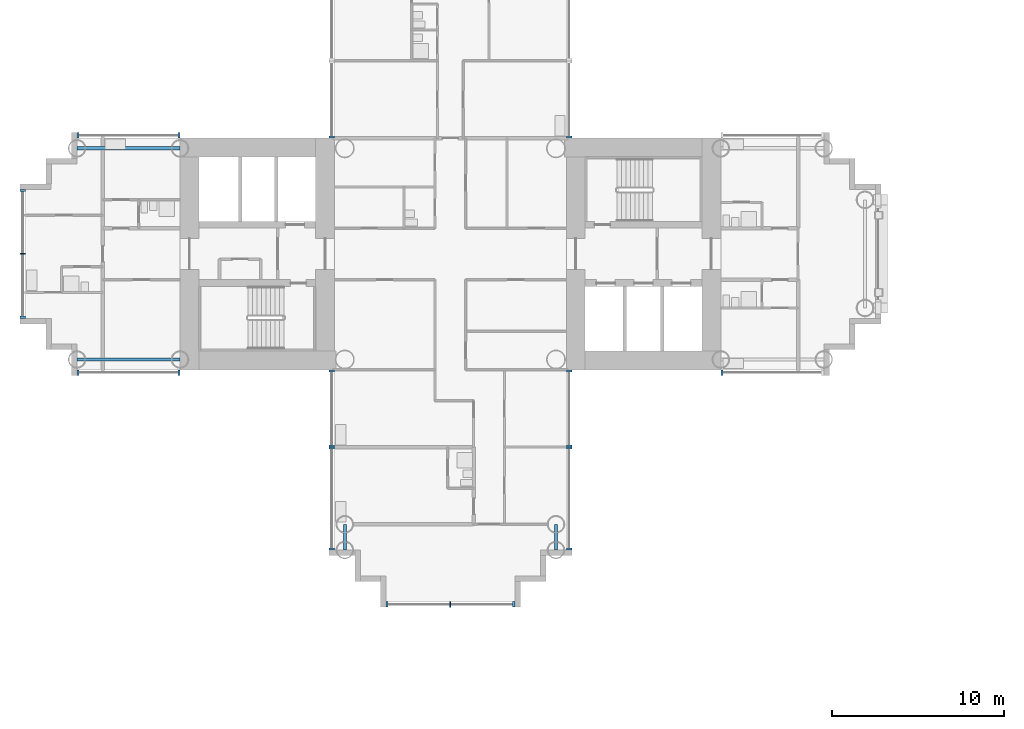
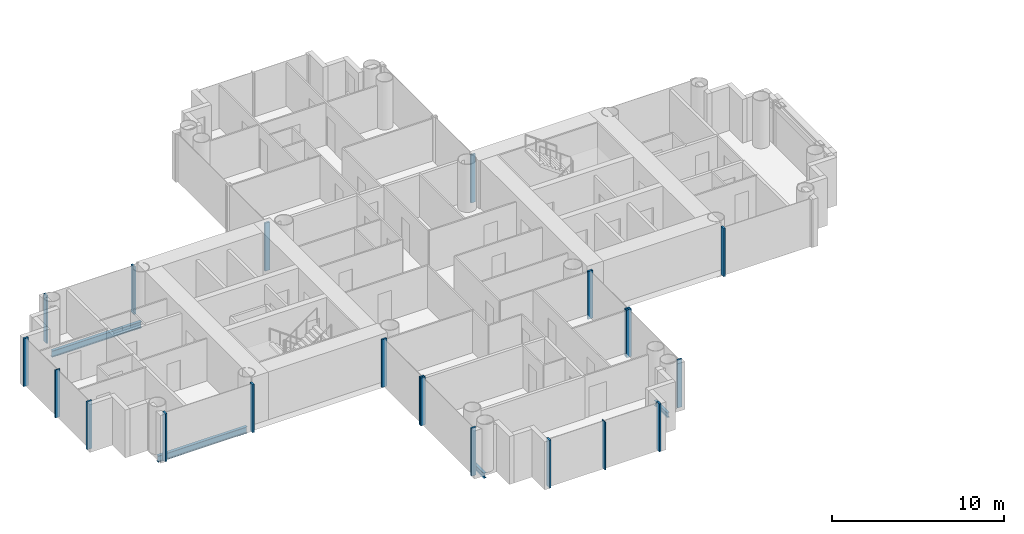
# One storey, part 3 of 22: 21 members, 4 beams, 11 elements without a shape of their own.
"""IFC4 building model written with IfcOpenShell, lengths in metres."""

import ifcopenshell
import ifcopenshell.guid

model = None  # the IFC model being written
_history = None  # IfcOwnerHistory: only IFC2X3 demands one
_inside = {}  # id of a spatial element -> (the spatial element, [elements in it])
_under = {}  # id of a project, library or spatial element -> (it, [spatial elements below it])
_declared = {}  # id of a project -> (the project, [libraries it declares])
_typed = {}  # id of a type object -> (the type object, [elements of that type])
_made_of = {}  # id of a material, layer set ... -> (it, [elements and type objects made of it])


def new_model(schema):
    """Start an empty IFC model of exactly this schema.

    Asked for "IFC4X3", IfcOpenShell would pick the latest addendum, in which some entities
    have other attributes; the version numbers below select the first issue.
    IFC2X3 requires an IfcOwnerHistory on every rooted entity: one is made here for all.
    """
    global model, _history
    if schema == "IFC4X3":
        model = ifcopenshell.file(schema_version=(4, 3, 0, 0))
    else:
        model = ifcopenshell.file(schema=schema)
    _inside.clear()
    _under.clear()
    _declared.clear()
    _typed.clear()
    _made_of.clear()
    _history = None
    if model.schema == "IFC2X3":
        org = make("IfcOrganization", Name="unknown")
        user = make(
            "IfcPersonAndOrganization",
            ThePerson=make("IfcPerson", FamilyName="unknown"),
            TheOrganization=org,
        )
        app = make(
            "IfcApplication",
            ApplicationDeveloper=org,
            Version="unknown",
            ApplicationFullName="unknown",
            ApplicationIdentifier="unknown",
        )
        _history = make(
            "IfcOwnerHistory",
            OwningUser=user,
            OwningApplication=app,
            ChangeAction="ADDED",
            CreationDate=0,
        )
    return model


def make(cls, **values):
    """One entity of the class cls with the attributes given. An attribute that is None is left unset."""
    return model.create_entity(
        cls, **{name: value for name, value in values.items() if value is not None}
    )


def rooted(cls, **values):
    """An entity with a GlobalId (a new one), such as an element, a storey or a relation."""
    return make(cls, GlobalId=ifcopenshell.guid.new(), OwnerHistory=_history, **values)


def si_unit(unit_type, name, prefix=None):
    """IfcSIUnit, for example si_unit("LENGTHUNIT", "METRE", prefix="MILLI")."""
    return make("IfcSIUnit", UnitType=unit_type, Prefix=prefix, Name=name)


def assignment(units):
    """IfcUnitAssignment: the units of a project."""
    return None if units is None else make("IfcUnitAssignment", Units=units)


def point(xyz):
    """IfcCartesianPoint."""
    return None if xyz is None else make("IfcCartesianPoint", Coordinates=xyz)


def direction(xyz):
    """IfcDirection."""
    return None if xyz is None else make("IfcDirection", DirectionRatios=xyz)


def frame(location, z_axis=None, x_axis=None):
    """IfcAxis2Placement3D, a coordinate frame: its origin and axes. An axis left out is left unset."""
    return make(
        "IfcAxis2Placement3D",
        Location=point(location),
        Axis=direction(z_axis),
        RefDirection=direction(x_axis),
    )


def frame_2d(location, x_axis=None):
    """IfcAxis2Placement2D, a coordinate frame in the plane: its origin and x axis."""
    return make(
        "IfcAxis2Placement2D", Location=point(location), RefDirection=direction(x_axis)
    )


def origin():
    """The frame at (0, 0, 0) with its axes left unset."""
    return frame((0.0, 0.0, 0.0))


def origin_2d():
    """The frame at (0, 0) in the plane with its x axis left unset."""
    return frame_2d((0.0, 0.0))


def place(relative_to, where):
    """IfcLocalPlacement: puts the frame where relative to a parent placement (None: the world)."""
    return make(
        "IfcLocalPlacement", PlacementRelTo=relative_to, RelativePlacement=where
    )


def context(
    kind, dimensions, precision=None, world=None, true_north=None, identifier=None
):
    """IfcGeometricRepresentationContext, for example the 3D "Model" context."""
    return make(
        "IfcGeometricRepresentationContext",
        ContextIdentifier=identifier,
        ContextType=kind,
        CoordinateSpaceDimension=dimensions,
        Precision=precision,
        WorldCoordinateSystem=world,
        TrueNorth=true_north,
    )


def subcontext(parent, identifier, kind, view, scale=None):
    """IfcGeometricRepresentationSubContext, for example "Body" below "Model"."""
    return make(
        "IfcGeometricRepresentationSubContext",
        ContextIdentifier=identifier,
        ContextType=kind,
        ParentContext=parent,
        TargetScale=scale,
        TargetView=view,
    )


def project(units=None, contexts=None):
    """IfcProject with its units and contexts."""
    return rooted(
        "IfcProject",
        Name="project",
        RepresentationContexts=contexts,
        UnitsInContext=assignment(units),
    )


def spatial(cls, under=None, at=None, **own):
    """A site, building, storey or space (cls), placed at a placement, below another one or the project."""
    s = rooted(cls, ObjectPlacement=at, **own)
    if under is not None:
        _under.setdefault(under.id(), (under, []))[1].append(s)
    return s


def profile(cls, at=None, kind="AREA", **sizes):
    """A parametric profile (cls). Its sizes go by their IFC names, for example OverallWidth=200.0."""
    return make(cls, ProfileType=kind, Position=at, **sizes)


def rectangle(**sizes):
    """IfcRectangleProfileDef."""
    return profile("IfcRectangleProfileDef", **sizes)


def i_section(**sizes):
    """IfcIShapeProfileDef."""
    return profile("IfcIShapeProfileDef", **sizes)


def extrude(swept, where, along, depth):
    """IfcExtrudedAreaSolid: the profile swept, set in the frame where, extruded along a direction by depth."""
    return make(
        "IfcExtrudedAreaSolid",
        SweptArea=swept,
        Position=where,
        ExtrudedDirection=direction(along),
        Depth=depth,
    )


def shape(context_of_items, identifier, shape_type, items):
    """IfcShapeRepresentation: the items that make up one representation, for example the "Body"."""
    return make(
        "IfcShapeRepresentation",
        ContextOfItems=context_of_items,
        RepresentationIdentifier=identifier,
        RepresentationType=shape_type,
        Items=items,
    )


def material(Name=None, Category=None):
    """IfcMaterial."""
    return make("IfcMaterial", Name=Name, Category=Category)


def layer(
    of_material, thickness, ventilated=None, Name=None, Category=None, Priority=None
):
    """IfcMaterialLayer: one layer of a wall or slab, of a material (None: an air gap)."""
    return make(
        "IfcMaterialLayer",
        Material=of_material,
        LayerThickness=thickness,
        IsVentilated=ventilated,
        Name=Name,
        Category=Category,
        Priority=Priority,
    )


def layer_set(layers, Name=None):
    """IfcMaterialLayerSet."""
    return make("IfcMaterialLayerSet", MaterialLayers=layers, LayerSetName=Name)


def material_profile(
    of_material, cross_section, Name=None, Category=None, Priority=None
):
    """IfcMaterialProfile: a cross section and its material."""
    return make(
        "IfcMaterialProfile",
        Name=Name,
        Material=of_material,
        Profile=cross_section,
        Priority=Priority,
        Category=Category,
    )


def profile_set(profiles, Name=None, composite=None):
    """IfcMaterialProfileSet."""
    return make(
        "IfcMaterialProfileSet",
        Name=Name,
        MaterialProfiles=profiles,
        CompositeProfile=composite,
    )


def made_of(thing, what):
    """Note that an element or type object is made of a material, layer set ...; save() writes the relation."""
    if what is not None:
        _made_of.setdefault(what.id(), (what, []))[1].append(thing)
    return thing


def type_object(cls, material=None, **own):
    """A type object (cls), such as IfcWallType, which elements share."""
    return made_of(rooted(cls, **own), material)


def element(
    cls,
    number,
    at=None,
    inside=None,
    cuts=None,
    type_object=None,
    material=None,
    context=None,
    identifier="Body",
    shape_type=None,
    held_by="IfcProductDefinitionShape",
    body=None,
    shapes=None,
    **own,
):
    """One element of the class cls, such as IfcWall. Its Tag is "e" and its number.

    at: its placement. inside: the storey or other place that contains it. cuts: it is an
    opening in that element (IfcRelVoidsElement). A single representation is given by context,
    identifier, shape_type and body (its items); several are given by shapes. held_by: the class
    of the entity that holds the representations. save() writes the other relations.
    """
    e = rooted(cls, Tag="e%d" % number, ObjectPlacement=at, **own)
    if body is not None:
        shapes = [shape(context, identifier, shape_type, body)]
    if shapes is not None:
        e.Representation = make(held_by, Representations=shapes)
    if inside is not None:
        _inside.setdefault(inside.id(), (inside, []))[1].append(e)
    if cuts is not None:
        rooted(
            "IfcRelVoidsElement", RelatingBuildingElement=cuts, RelatedOpeningElement=e
        )
    if type_object is not None:
        _typed.setdefault(type_object.id(), (type_object, []))[1].append(e)
    return made_of(e, material)


def aggregate(whole, parts):
    """IfcRelAggregates: a whole, such as a stair, and the parts it consists of."""
    return rooted("IfcRelAggregates", RelatingObject=whole, RelatedObjects=parts)


def save(model, path):
    """Write the relations noted so far, then the file.

    IfcRelAggregates (storeys below a building ...), IfcRelContainedInSpatialStructure (elements
    in a storey), IfcRelDefinesByType, IfcRelAssociatesMaterial and IfcRelDeclares: one each for
    every whole, place, type object, material and project.
    """
    for whole, parts in _under.values():
        aggregate(whole, parts)
    for where, things in _inside.values():
        rooted(
            "IfcRelContainedInSpatialStructure",
            RelatedElements=things,
            RelatingStructure=where,
        )
    for kind, things in _typed.values():
        rooted("IfcRelDefinesByType", RelatedObjects=things, RelatingType=kind)
    for what, things in _made_of.values():
        rooted("IfcRelAssociatesMaterial", RelatedObjects=things, RelatingMaterial=what)
    for by, libraries in _declared.values():
        rooted("IfcRelDeclares", RelatingContext=by, RelatedDefinitions=libraries)
    model.write(path)


model = new_model("IFC4")

# Units and contexts
model_context = context("Model", 3, precision=1e-05, world=origin(), true_north=direction((0.0, 1.0)))
body_context = subcontext(model_context, "Body", "Model", "MODEL_VIEW")
ifc_project = project(units=[si_unit("LENGTHUNIT", "METRE"), si_unit("AREAUNIT", "SQUARE_METRE"), si_unit("VOLUMEUNIT", "CUBIC_METRE"), si_unit("PLANEANGLEUNIT", "RADIAN"), si_unit("MASSUNIT", "GRAM", prefix="KILO")], contexts=[model_context])

# Site, building, storey
site_placement = place(None, origin())
site = spatial("IfcSite", under=ifc_project, at=site_placement, CompositionType="ELEMENT")
building_placement = place(site_placement, origin())
building = spatial("IfcBuilding", under=site, at=building_placement, Name="Ipe Terrace Towers", CompositionType="ELEMENT")
storey_placement = place(building_placement, frame((0.0, 0.0, 68.699951171875)))
storey = spatial("IfcBuildingStorey", under=building, at=storey_placement, Name="L18", CompositionType="ELEMENT", Elevation=68.699951171875)

# Beams
ifc_material_1 = material(Name="Steel S355", Category="steel")
ifc_material_profile_1 = material_profile(ifc_material_1, i_section(OverallWidth=0.175048828125, OverallDepth=0.35009765625, WebThickness=0.007080078125, FlangeThickness=0.010986328125, at=origin_2d()), Name="H-350x175x7x11")
ifc_profile_set_1 = profile_set([ifc_material_profile_1], Name="Steel S355")
beam_type_1 = type_object("IfcBeamType", Name="H04 EDGE BEAM H-350x175x7x11", PredefinedType="BEAM", material=ifc_profile_set_1)
for number, where, z_axis, x_axis, name in (
    (1, (-42.14990234375, -15.75, -0.574951171875), (0.0, -1.0, 0.0), (1.0, 0.0, 0.0), "Edge beam T1-EB-D03-D05"),
    (2, (-29.85009765625, -15.75, -0.574951171875), (0.0, -1.0, 0.0), (1.0, 0.0, 0.0), "Edge beam T1-EB-D04-D06"),
):
    element("IfcBeam", number, at=place(storey_placement, frame(where, z_axis=z_axis, x_axis=x_axis)), inside=storey, type_object=beam_type_1, Name=name, PredefinedType="BEAM", context=body_context, shape_type="SweptSolid", body=[
        extrude(i_section(OverallWidth=0.175048828125, OverallDepth=0.35009765625, WebThickness=0.007080078125, FlangeThickness=0.010986328125, at=origin_2d()), origin(), (0.0, 0.0, 1.0), 1.5),
    ])
ifc_material_2 = material(Name="Steel S355", Category="steel")
ifc_material_profile_2 = material_profile(ifc_material_2, i_section(OverallWidth=0.199951171875, OverallDepth=0.449951171875, WebThickness=0.009033203125, FlangeThickness=0.013916015625, at=origin_2d()), Name="H-450x200x9x14")
ifc_profile_set_2 = profile_set([ifc_material_profile_2], Name="Steel S355")
beam_type_2 = type_object("IfcBeamType", Name="H08 EDGE BEAM H-450x200x9x14", PredefinedType="BEAM", material=ifc_profile_set_2)
for number, where, z_axis, x_axis, name in (
    (3, (-51.75, -6.14990234375, -0.625), (-1.0, 0.0, 0.0), (0.0, -1.0, 0.0), "Edge beam T1-EB-C01-C03"),
    (4, (-51.75, 6.14990234375, -0.625), (-1.0, 0.0, 0.0), (0.0, -1.0, 0.0), "Edge beam T1-EB-C02-C04"),
):
    element("IfcBeam", number, at=place(storey_placement, frame(where, z_axis=z_axis, x_axis=x_axis)), inside=storey, type_object=beam_type_2, Name=name, PredefinedType="BEAM", context=body_context, shape_type="SweptSolid", body=[
        extrude(i_section(OverallWidth=0.199951171875, OverallDepth=0.449951171875, WebThickness=0.009033203125, FlangeThickness=0.013916015625, at=origin_2d()), origin(), (0.0, 0.0, 1.0), 6.0),
    ])

# Curtain wall, members
ifc_material_3 = material(Name="Aluminium alloy 6063-T6", Category="aluminium")
ifc_layer = layer(ifc_material_3, 0.320068359375)
ifc_layer_set = layer_set([ifc_layer], Name="TOWER UNITISED CURTAIN WALL")
curtain_wall_type = type_object("IfcCurtainWallType", Name="TOWER UNITISED CURTAIN WALL", PredefinedType="NOTDEFINED", material=ifc_layer_set)
curtain_wall_1_placement = place(storey_placement, origin())
curtain_wall_1 = element("IfcCurtainWall", 5, at=curtain_wall_1_placement, inside=storey, type_object=curtain_wall_type, Name="T1-CW-L18-04a curtain wall", PredefinedType="NOTDEFINED")
ifc_material_4 = material(Name="Aluminium alloy 6063-T6", Category="aluminium")
ifc_material_profile_3 = material_profile(ifc_material_4, rectangle(XDim=0.320068359375, YDim=0.1201171875, at=origin_2d()), Name="TOWER UNITISED CORNER MULLION 320 x 120")
ifc_profile_set_3 = profile_set([ifc_material_profile_3], Name="Aluminium alloy 6063-T6")
member_type_1 = type_object("IfcMemberType", Name="TOWER UNITISED CORNER MULLION 320 x 120", PredefinedType="MULLION", material=ifc_profile_set_3)
member_1_placement = place(storey_placement, frame((-57.68994140625, -6.909912109375, -0.300048828125), z_axis=(0.0, 0.0, 1.0), x_axis=(0.0, -1.0, 0.0)))
member_1 = element("IfcMember", 6, at=member_1_placement, type_object=member_type_1, Name="T1-CW-L18-04a mullion 1", PredefinedType="MULLION", context=body_context, shape_type="SweptSolid", body=[
    extrude(rectangle(XDim=0.320068359375, YDim=0.1201171875, at=origin_2d()), origin(), (0.0, 0.0, 1.0), 3.400146484375),
])
member_2_placement = place(storey_placement, frame((-51.81103515625, -6.909912109375, -0.300048828125), z_axis=(0.0, 0.0, 1.0), x_axis=(0.0, -1.0, 0.0)))
member_2 = element("IfcMember", 7, at=member_2_placement, type_object=member_type_1, Name="T1-CW-L18-04a mullion 2", PredefinedType="MULLION", context=body_context, shape_type="SweptSolid", body=[
    extrude(rectangle(XDim=0.320068359375, YDim=0.1201171875, at=origin_2d()), origin(), (0.0, 0.0, 1.0), 3.400146484375),
])
aggregate(curtain_wall_1, [member_1, member_2])

curtain_wall_2_placement = place(storey_placement, origin())
curtain_wall_2 = element("IfcCurtainWall", 8, at=curtain_wall_2_placement, inside=storey, type_object=curtain_wall_type, Name="T1-CW-L18-06a curtain wall", PredefinedType="NOTDEFINED")
member_3_placement = place(storey_placement, frame((-42.909912109375, -6.81005859375, -0.300048828125), z_axis=(0.0, 0.0, 1.0), x_axis=(-1.0, 0.0, 0.0)))
member_3 = element("IfcMember", 9, at=member_3_placement, type_object=member_type_1, Name="T1-CW-L18-06a mullion 1", PredefinedType="MULLION", context=body_context, shape_type="SweptSolid", body=[
    extrude(rectangle(XDim=0.320068359375, YDim=0.1201171875, at=origin_2d()), origin(), (0.0, 0.0, 1.0), 3.400146484375),
])
member_4_placement = place(storey_placement, frame((-42.909912109375, -11.18994140625, -0.300048828125), z_axis=(0.0, 0.0, 1.0), x_axis=(-1.0, 0.0, 0.0)))
member_4 = element("IfcMember", 10, at=member_4_placement, type_object=member_type_1, Name="T1-CW-L18-06a mullion 2", PredefinedType="MULLION", context=body_context, shape_type="SweptSolid", body=[
    extrude(rectangle(XDim=0.320068359375, YDim=0.1201171875, at=origin_2d()), origin(), (0.0, 0.0, 1.0), 3.400146484375),
])
aggregate(curtain_wall_2, [member_3, member_4])

curtain_wall_3_placement = place(storey_placement, origin())
curtain_wall_3 = element("IfcCurtainWall", 11, at=curtain_wall_3_placement, inside=storey, type_object=curtain_wall_type, Name="T1-CW-L18-07a curtain wall", PredefinedType="NOTDEFINED")
member_5_placement = place(storey_placement, frame((-42.909912109375, -11.31005859375, -0.300048828125), z_axis=(0.0, 0.0, 1.0), x_axis=(-1.0, 0.0, 0.0)))
member_5 = element("IfcMember", 12, at=member_5_placement, type_object=member_type_1, Name="T1-CW-L18-07a mullion 1", PredefinedType="MULLION", context=body_context, shape_type="SweptSolid", body=[
    extrude(rectangle(XDim=0.320068359375, YDim=0.1201171875, at=origin_2d()), origin(), (0.0, 0.0, 1.0), 3.400146484375),
])
member_6_placement = place(storey_placement, frame((-42.909912109375, -17.18994140625, -0.300048828125), z_axis=(0.0, 0.0, 1.0), x_axis=(-1.0, 0.0, 0.0)))
member_6 = element("IfcMember", 13, at=member_6_placement, type_object=member_type_1, Name="T1-CW-L18-07a mullion 2", PredefinedType="MULLION", context=body_context, shape_type="SweptSolid", body=[
    extrude(rectangle(XDim=0.320068359375, YDim=0.1201171875, at=origin_2d()), origin(), (0.0, 0.0, 1.0), 3.400146484375),
])
aggregate(curtain_wall_3, [member_5, member_6])

curtain_wall_4_placement = place(storey_placement, origin())
curtain_wall_4 = element("IfcCurtainWall", 14, at=curtain_wall_4_placement, inside=storey, type_object=curtain_wall_type, Name="T1-CW-L18-12a curtain wall", PredefinedType="NOTDEFINED")
member_7_placement = place(storey_placement, frame((-39.68994140625, -20.409912109375, -0.300048828125), z_axis=(0.0, 0.0, 1.0), x_axis=(0.0, -1.0, 0.0)))
member_7 = element("IfcMember", 15, at=member_7_placement, type_object=member_type_1, Name="T1-CW-L18-12a mullion 1", PredefinedType="MULLION", context=body_context, shape_type="SweptSolid", body=[
    extrude(rectangle(XDim=0.320068359375, YDim=0.1201171875, at=origin_2d()), origin(), (0.0, 0.0, 1.0), 3.400146484375),
])
member_8_placement = place(storey_placement, frame((-32.31005859375, -20.409912109375, -0.300048828125), z_axis=(0.0, 0.0, 1.0), x_axis=(0.0, -1.0, 0.0)))
member_8 = element("IfcMember", 16, at=member_8_placement, type_object=member_type_1, Name="T1-CW-L18-12a mullion 3", PredefinedType="MULLION", context=body_context, shape_type="SweptSolid", body=[
    extrude(rectangle(XDim=0.320068359375, YDim=0.1201171875, at=origin_2d()), origin(), (0.0, 0.0, 1.0), 3.400146484375),
])

curtain_wall_5_placement = place(storey_placement, origin())
curtain_wall_5 = element("IfcCurtainWall", 17, at=curtain_wall_5_placement, inside=storey, type_object=curtain_wall_type, Name="T1-CW-L18-17a curtain wall", PredefinedType="NOTDEFINED")
member_9_placement = place(storey_placement, frame((-29.090087890625, -17.18994140625, -0.300048828125), z_axis=(0.0, 0.0, 1.0), x_axis=(1.0, 0.0, 0.0)))
member_9 = element("IfcMember", 18, at=member_9_placement, type_object=member_type_1, Name="T1-CW-L18-17a mullion 1", PredefinedType="MULLION", context=body_context, shape_type="SweptSolid", body=[
    extrude(rectangle(XDim=0.320068359375, YDim=0.1201171875, at=origin_2d()), origin(), (0.0, 0.0, 1.0), 3.400146484375),
])
member_10_placement = place(storey_placement, frame((-29.090087890625, -11.31005859375, -0.300048828125), z_axis=(0.0, 0.0, 1.0), x_axis=(1.0, 0.0, 0.0)))
member_10 = element("IfcMember", 19, at=member_10_placement, type_object=member_type_1, Name="T1-CW-L18-17a mullion 2", PredefinedType="MULLION", context=body_context, shape_type="SweptSolid", body=[
    extrude(rectangle(XDim=0.320068359375, YDim=0.1201171875, at=origin_2d()), origin(), (0.0, 0.0, 1.0), 3.400146484375),
])
aggregate(curtain_wall_5, [member_9, member_10])

curtain_wall_6_placement = place(storey_placement, origin())
curtain_wall_6 = element("IfcCurtainWall", 20, at=curtain_wall_6_placement, inside=storey, type_object=curtain_wall_type, Name="T1-CW-L18-18a curtain wall", PredefinedType="NOTDEFINED")
member_11_placement = place(storey_placement, frame((-29.090087890625, -11.18994140625, -0.300048828125), z_axis=(0.0, 0.0, 1.0), x_axis=(1.0, 0.0, 0.0)))
member_11 = element("IfcMember", 21, at=member_11_placement, type_object=member_type_1, Name="T1-CW-L18-18a mullion 1", PredefinedType="MULLION", context=body_context, shape_type="SweptSolid", body=[
    extrude(rectangle(XDim=0.320068359375, YDim=0.1201171875, at=origin_2d()), origin(), (0.0, 0.0, 1.0), 3.400146484375),
])
member_12_placement = place(storey_placement, frame((-29.090087890625, -6.81005859375, -0.300048828125), z_axis=(0.0, 0.0, 1.0), x_axis=(1.0, 0.0, 0.0)))
member_12 = element("IfcMember", 22, at=member_12_placement, type_object=member_type_1, Name="T1-CW-L18-18a mullion 2", PredefinedType="MULLION", context=body_context, shape_type="SweptSolid", body=[
    extrude(rectangle(XDim=0.320068359375, YDim=0.1201171875, at=origin_2d()), origin(), (0.0, 0.0, 1.0), 3.400146484375),
])
aggregate(curtain_wall_6, [member_11, member_12])

# Curtain wall, member
curtain_wall_7_placement = place(storey_placement, origin())
curtain_wall_7 = element("IfcCurtainWall", 23, at=curtain_wall_7_placement, inside=storey, type_object=curtain_wall_type, Name="T1-CW-L18-20b curtain wall", PredefinedType="NOTDEFINED")
member_13_placement = place(storey_placement, frame((-20.18896484375, -6.909912109375, -0.300048828125), z_axis=(0.0, 0.0, 1.0), x_axis=(0.0, -1.0, 0.0)))
member_13 = element("IfcMember", 24, at=member_13_placement, type_object=member_type_1, Name="T1-CW-L18-20b mullion 1", PredefinedType="MULLION", context=body_context, shape_type="SweptSolid", body=[
    extrude(rectangle(XDim=0.320068359375, YDim=0.1201171875, at=origin_2d()), origin(), (0.0, 0.0, 1.0), 3.400146484375),
])
aggregate(curtain_wall_7, [member_13])

curtain_wall_8_placement = place(storey_placement, origin())
curtain_wall_8 = element("IfcCurtainWall", 25, at=curtain_wall_8_placement, inside=storey, type_object=curtain_wall_type, Name="T1-CW-L18-32a curtain wall", PredefinedType="NOTDEFINED")
member_14_placement = place(storey_placement, frame((-29.090087890625, 6.81005859375, -0.300048828125), z_axis=(0.0, 0.0, 1.0), x_axis=(1.0, 0.0, 0.0)))
member_14 = element("IfcMember", 26, at=member_14_placement, type_object=member_type_1, Name="T1-CW-L18-32a mullion 1", PredefinedType="MULLION", context=body_context, shape_type="SweptSolid", body=[
    extrude(rectangle(XDim=0.320068359375, YDim=0.1201171875, at=origin_2d()), origin(), (0.0, 0.0, 1.0), 3.400146484375),
])
aggregate(curtain_wall_8, [member_14])

curtain_wall_9_placement = place(storey_placement, origin())
curtain_wall_9 = element("IfcCurtainWall", 27, at=curtain_wall_9_placement, inside=storey, type_object=curtain_wall_type, Name="T1-CW-L18-44a curtain wall", PredefinedType="NOTDEFINED")
member_15_placement = place(storey_placement, frame((-42.909912109375, 6.81005859375, -0.300048828125), z_axis=(0.0, 0.0, 1.0), x_axis=(-1.0, 0.0, 0.0)))
member_15 = element("IfcMember", 28, at=member_15_placement, type_object=member_type_1, Name="T1-CW-L18-44a mullion 2", PredefinedType="MULLION", context=body_context, shape_type="SweptSolid", body=[
    extrude(rectangle(XDim=0.320068359375, YDim=0.1201171875, at=origin_2d()), origin(), (0.0, 0.0, 1.0), 3.400146484375),
])
aggregate(curtain_wall_9, [member_15])

# Curtain wall, members
curtain_wall_10_placement = place(storey_placement, origin())
curtain_wall_10 = element("IfcCurtainWall", 29, at=curtain_wall_10_placement, inside=storey, type_object=curtain_wall_type, Name="T1-CW-L18-46b curtain wall", PredefinedType="NOTDEFINED")
member_16_placement = place(storey_placement, frame((-51.81103515625, 6.909912109375, -0.300048828125), z_axis=(0.0, 0.0, 1.0), x_axis=(0.0, 1.0, 0.0)))
member_16 = element("IfcMember", 30, at=member_16_placement, type_object=member_type_1, Name="T1-CW-L18-46b mullion 1", PredefinedType="MULLION", context=body_context, shape_type="SweptSolid", body=[
    extrude(rectangle(XDim=0.320068359375, YDim=0.1201171875, at=origin_2d()), origin(), (0.0, 0.0, 1.0), 3.400146484375),
])
member_17_placement = place(storey_placement, frame((-57.68994140625, 6.909912109375, -0.300048828125), z_axis=(0.0, 0.0, 1.0), x_axis=(0.0, 1.0, 0.0)))
member_17 = element("IfcMember", 31, at=member_17_placement, type_object=member_type_1, Name="T1-CW-L18-46b mullion 2", PredefinedType="MULLION", context=body_context, shape_type="SweptSolid", body=[
    extrude(rectangle(XDim=0.320068359375, YDim=0.1201171875, at=origin_2d()), origin(), (0.0, 0.0, 1.0), 3.400146484375),
])
aggregate(curtain_wall_10, [member_16, member_17])

curtain_wall_11_placement = place(storey_placement, origin())
curtain_wall_11 = element("IfcCurtainWall", 32, at=curtain_wall_11_placement, inside=storey, type_object=curtain_wall_type, Name="T1-CW-L18-51a curtain wall", PredefinedType="NOTDEFINED")
member_18_placement = place(storey_placement, frame((-60.909912109375, 3.68994140625, -0.300048828125), z_axis=(0.0, 0.0, 1.0), x_axis=(-1.0, 0.0, 0.0)))
member_18 = element("IfcMember", 33, at=member_18_placement, type_object=member_type_1, Name="T1-CW-L18-51a mullion 1", PredefinedType="MULLION", context=body_context, shape_type="SweptSolid", body=[
    extrude(rectangle(XDim=0.320068359375, YDim=0.1201171875, at=origin_2d()), origin(), (0.0, 0.0, 1.0), 3.400146484375),
])
member_19_placement = place(storey_placement, frame((-60.909912109375, -3.68994140625, -0.300048828125), z_axis=(0.0, 0.0, 1.0), x_axis=(-1.0, 0.0, 0.0)))
member_19 = element("IfcMember", 34, at=member_19_placement, type_object=member_type_1, Name="T1-CW-L18-51a mullion 3", PredefinedType="MULLION", context=body_context, shape_type="SweptSolid", body=[
    extrude(rectangle(XDim=0.320068359375, YDim=0.1201171875, at=origin_2d()), origin(), (0.0, 0.0, 1.0), 3.400146484375),
])

# Member
ifc_material_5 = material(Name="Aluminium alloy 6063-T6", Category="aluminium")
ifc_material_profile_4 = material_profile(ifc_material_5, rectangle(XDim=0.320068359375, YDim=0.06494140625, at=origin_2d()), Name="TOWER UNITISED MULLION 320 x 65")
ifc_profile_set_4 = profile_set([ifc_material_profile_4], Name="Aluminium alloy 6063-T6")
member_type_2 = type_object("IfcMemberType", Name="TOWER UNITISED MULLION 320 x 65", PredefinedType="MULLION", material=ifc_profile_set_4)
member_20_placement = place(storey_placement, frame((-36.0, -20.409912109375, -0.300048828125), z_axis=(0.0, 0.0, 1.0), x_axis=(0.0, -1.0, 0.0)))
member_20 = element("IfcMember", 35, at=member_20_placement, type_object=member_type_2, Name="T1-CW-L18-12a mullion 2", PredefinedType="MULLION", context=body_context, shape_type="SweptSolid", body=[
    extrude(rectangle(XDim=0.320068359375, YDim=0.06494140625, at=origin_2d()), origin(), (0.0, 0.0, 1.0), 3.400146484375),
])

aggregate(curtain_wall_4, [member_7, member_20, member_8])

member_21_placement = place(storey_placement, frame((-60.909912109375, 0.0, -0.300048828125), z_axis=(0.0, 0.0, 1.0), x_axis=(-1.0, 0.0, 0.0)))
member_21 = element("IfcMember", 36, at=member_21_placement, type_object=member_type_2, Name="T1-CW-L18-51a mullion 2", PredefinedType="MULLION", context=body_context, shape_type="SweptSolid", body=[
    extrude(rectangle(XDim=0.320068359375, YDim=0.06494140625, at=origin_2d()), origin(), (0.0, 0.0, 1.0), 3.400146484375),
])

aggregate(curtain_wall_11, [member_18, member_21, member_19])

save(model, "model.ifc")
